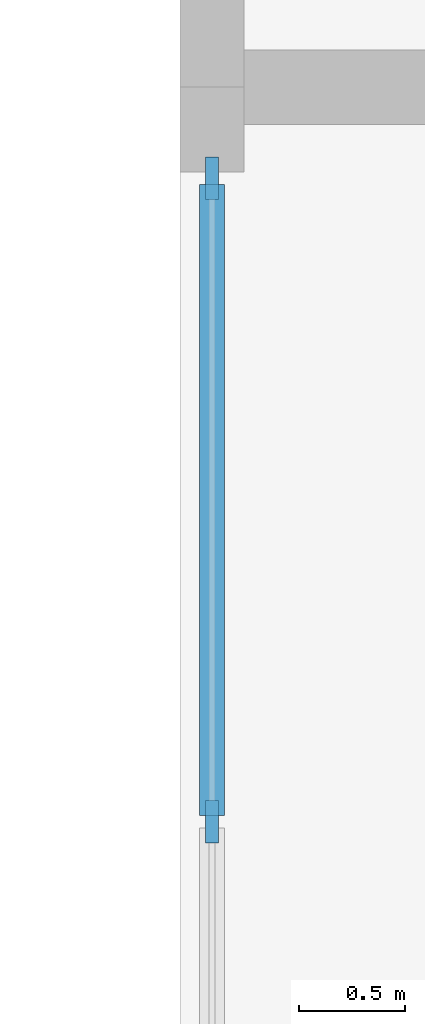
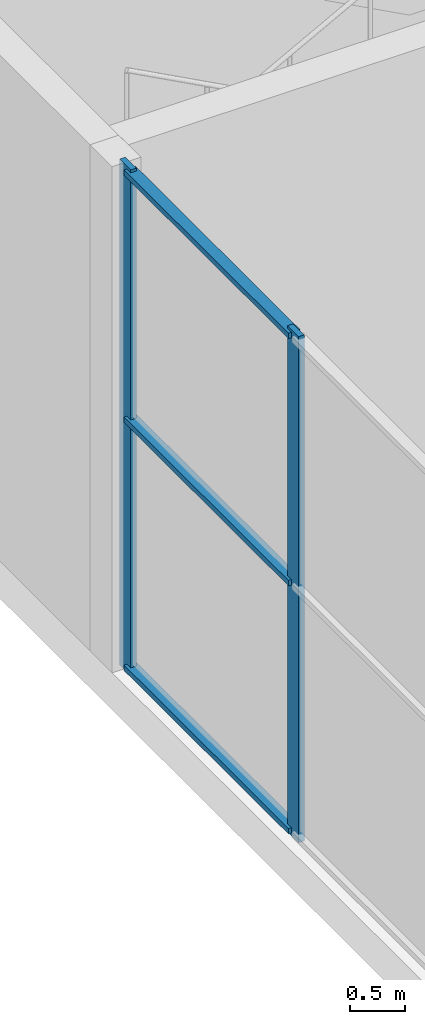
# One storey, part 15 of 51: 5 members, 1 element without a shape of its own.
"""IFC4 building model written with IfcOpenShell, lengths in metres."""

import ifcopenshell
import ifcopenshell.guid

model = None  # the IFC model being written
_history = None  # IfcOwnerHistory: only IFC2X3 demands one
_inside = {}  # id of a spatial element -> (the spatial element, [elements in it])
_under = {}  # id of a project, library or spatial element -> (it, [spatial elements below it])
_declared = {}  # id of a project -> (the project, [libraries it declares])
_typed = {}  # id of a type object -> (the type object, [elements of that type])
_made_of = {}  # id of a material, layer set ... -> (it, [elements and type objects made of it])


def new_model(schema):
    """Start an empty IFC model of exactly this schema.

    Asked for "IFC4X3", IfcOpenShell would pick the latest addendum, in which some entities
    have other attributes; the version numbers below select the first issue.
    IFC2X3 requires an IfcOwnerHistory on every rooted entity: one is made here for all.
    """
    global model, _history
    if schema == "IFC4X3":
        model = ifcopenshell.file(schema_version=(4, 3, 0, 0))
    else:
        model = ifcopenshell.file(schema=schema)
    _inside.clear()
    _under.clear()
    _declared.clear()
    _typed.clear()
    _made_of.clear()
    _history = None
    if model.schema == "IFC2X3":
        org = make("IfcOrganization", Name="unknown")
        user = make(
            "IfcPersonAndOrganization",
            ThePerson=make("IfcPerson", FamilyName="unknown"),
            TheOrganization=org,
        )
        app = make(
            "IfcApplication",
            ApplicationDeveloper=org,
            Version="unknown",
            ApplicationFullName="unknown",
            ApplicationIdentifier="unknown",
        )
        _history = make(
            "IfcOwnerHistory",
            OwningUser=user,
            OwningApplication=app,
            ChangeAction="ADDED",
            CreationDate=0,
        )
    return model


def make(cls, **values):
    """One entity of the class cls with the attributes given. An attribute that is None is left unset."""
    return model.create_entity(
        cls, **{name: value for name, value in values.items() if value is not None}
    )


def rooted(cls, **values):
    """An entity with a GlobalId (a new one), such as an element, a storey or a relation."""
    return make(cls, GlobalId=ifcopenshell.guid.new(), OwnerHistory=_history, **values)


def si_unit(unit_type, name, prefix=None):
    """IfcSIUnit, for example si_unit("LENGTHUNIT", "METRE", prefix="MILLI")."""
    return make("IfcSIUnit", UnitType=unit_type, Prefix=prefix, Name=name)


def assignment(units):
    """IfcUnitAssignment: the units of a project."""
    return None if units is None else make("IfcUnitAssignment", Units=units)


def point(xyz):
    """IfcCartesianPoint."""
    return None if xyz is None else make("IfcCartesianPoint", Coordinates=xyz)


def direction(xyz):
    """IfcDirection."""
    return None if xyz is None else make("IfcDirection", DirectionRatios=xyz)


def frame(location, z_axis=None, x_axis=None):
    """IfcAxis2Placement3D, a coordinate frame: its origin and axes. An axis left out is left unset."""
    return make(
        "IfcAxis2Placement3D",
        Location=point(location),
        Axis=direction(z_axis),
        RefDirection=direction(x_axis),
    )


def frame_2d(location, x_axis=None):
    """IfcAxis2Placement2D, a coordinate frame in the plane: its origin and x axis."""
    return make(
        "IfcAxis2Placement2D", Location=point(location), RefDirection=direction(x_axis)
    )


def origin():
    """The frame at (0, 0, 0) with its axes left unset."""
    return frame((0.0, 0.0, 0.0))


def origin_2d():
    """The frame at (0, 0) in the plane with its x axis left unset."""
    return frame_2d((0.0, 0.0))


def place(relative_to, where):
    """IfcLocalPlacement: puts the frame where relative to a parent placement (None: the world)."""
    return make(
        "IfcLocalPlacement", PlacementRelTo=relative_to, RelativePlacement=where
    )


def context(
    kind, dimensions, precision=None, world=None, true_north=None, identifier=None
):
    """IfcGeometricRepresentationContext, for example the 3D "Model" context."""
    return make(
        "IfcGeometricRepresentationContext",
        ContextIdentifier=identifier,
        ContextType=kind,
        CoordinateSpaceDimension=dimensions,
        Precision=precision,
        WorldCoordinateSystem=world,
        TrueNorth=true_north,
    )


def subcontext(parent, identifier, kind, view, scale=None):
    """IfcGeometricRepresentationSubContext, for example "Body" below "Model"."""
    return make(
        "IfcGeometricRepresentationSubContext",
        ContextIdentifier=identifier,
        ContextType=kind,
        ParentContext=parent,
        TargetScale=scale,
        TargetView=view,
    )


def project(units=None, contexts=None):
    """IfcProject with its units and contexts."""
    return rooted(
        "IfcProject",
        Name="project",
        RepresentationContexts=contexts,
        UnitsInContext=assignment(units),
    )


def spatial(cls, under=None, at=None, **own):
    """A site, building, storey or space (cls), placed at a placement, below another one or the project."""
    s = rooted(cls, ObjectPlacement=at, **own)
    if under is not None:
        _under.setdefault(under.id(), (under, []))[1].append(s)
    return s


def profile(cls, at=None, kind="AREA", **sizes):
    """A parametric profile (cls). Its sizes go by their IFC names, for example OverallWidth=200.0."""
    return make(cls, ProfileType=kind, Position=at, **sizes)


def rectangle(**sizes):
    """IfcRectangleProfileDef."""
    return profile("IfcRectangleProfileDef", **sizes)


def extrude(swept, where, along, depth):
    """IfcExtrudedAreaSolid: the profile swept, set in the frame where, extruded along a direction by depth."""
    return make(
        "IfcExtrudedAreaSolid",
        SweptArea=swept,
        Position=where,
        ExtrudedDirection=direction(along),
        Depth=depth,
    )


def shape(context_of_items, identifier, shape_type, items):
    """IfcShapeRepresentation: the items that make up one representation, for example the "Body"."""
    return make(
        "IfcShapeRepresentation",
        ContextOfItems=context_of_items,
        RepresentationIdentifier=identifier,
        RepresentationType=shape_type,
        Items=items,
    )


def material(Name=None, Category=None):
    """IfcMaterial."""
    return make("IfcMaterial", Name=Name, Category=Category)


def material_profile(
    of_material, cross_section, Name=None, Category=None, Priority=None
):
    """IfcMaterialProfile: a cross section and its material."""
    return make(
        "IfcMaterialProfile",
        Name=Name,
        Material=of_material,
        Profile=cross_section,
        Priority=Priority,
        Category=Category,
    )


def profile_set(profiles, Name=None, composite=None):
    """IfcMaterialProfileSet."""
    return make(
        "IfcMaterialProfileSet",
        Name=Name,
        MaterialProfiles=profiles,
        CompositeProfile=composite,
    )


def made_of(thing, what):
    """Note that an element or type object is made of a material, layer set ...; save() writes the relation."""
    if what is not None:
        _made_of.setdefault(what.id(), (what, []))[1].append(thing)
    return thing


def type_object(cls, material=None, **own):
    """A type object (cls), such as IfcWallType, which elements share."""
    return made_of(rooted(cls, **own), material)


def element(
    cls,
    number,
    at=None,
    inside=None,
    cuts=None,
    type_object=None,
    material=None,
    context=None,
    identifier="Body",
    shape_type=None,
    held_by="IfcProductDefinitionShape",
    body=None,
    shapes=None,
    **own,
):
    """One element of the class cls, such as IfcWall. Its Tag is "e" and its number.

    at: its placement. inside: the storey or other place that contains it. cuts: it is an
    opening in that element (IfcRelVoidsElement). A single representation is given by context,
    identifier, shape_type and body (its items); several are given by shapes. held_by: the class
    of the entity that holds the representations. save() writes the other relations.
    """
    e = rooted(cls, Tag="e%d" % number, ObjectPlacement=at, **own)
    if body is not None:
        shapes = [shape(context, identifier, shape_type, body)]
    if shapes is not None:
        e.Representation = make(held_by, Representations=shapes)
    if inside is not None:
        _inside.setdefault(inside.id(), (inside, []))[1].append(e)
    if cuts is not None:
        rooted(
            "IfcRelVoidsElement", RelatingBuildingElement=cuts, RelatedOpeningElement=e
        )
    if type_object is not None:
        _typed.setdefault(type_object.id(), (type_object, []))[1].append(e)
    return made_of(e, material)


def aggregate(whole, parts):
    """IfcRelAggregates: a whole, such as a stair, and the parts it consists of."""
    return rooted("IfcRelAggregates", RelatingObject=whole, RelatedObjects=parts)


def save(model, path):
    """Write the relations noted so far, then the file.

    IfcRelAggregates (storeys below a building ...), IfcRelContainedInSpatialStructure (elements
    in a storey), IfcRelDefinesByType, IfcRelAssociatesMaterial and IfcRelDeclares: one each for
    every whole, place, type object, material and project.
    """
    for whole, parts in _under.values():
        aggregate(whole, parts)
    for where, things in _inside.values():
        rooted(
            "IfcRelContainedInSpatialStructure",
            RelatedElements=things,
            RelatingStructure=where,
        )
    for kind, things in _typed.values():
        rooted("IfcRelDefinesByType", RelatedObjects=things, RelatingType=kind)
    for what, things in _made_of.values():
        rooted("IfcRelAssociatesMaterial", RelatedObjects=things, RelatingMaterial=what)
    for by, libraries in _declared.values():
        rooted("IfcRelDeclares", RelatingContext=by, RelatedDefinitions=libraries)
    model.write(path)


model = new_model("IFC4")

# Units and contexts
model_context = context("Model", 3, precision=1e-05, world=origin(), true_north=direction((0.0, 1.0)))
body_context = subcontext(model_context, "Body", "Model", "MODEL_VIEW")
ifc_project = project(units=[si_unit("LENGTHUNIT", "METRE"), si_unit("AREAUNIT", "SQUARE_METRE"), si_unit("VOLUMEUNIT", "CUBIC_METRE"), si_unit("PLANEANGLEUNIT", "RADIAN"), si_unit("MASSUNIT", "GRAM", prefix="KILO")], contexts=[model_context])

# Site, building, storey
site_placement = place(None, origin())
site = spatial("IfcSite", under=ifc_project, at=site_placement, CompositionType="ELEMENT")
building_placement = place(site_placement, origin())
building = spatial("IfcBuilding", under=site, at=building_placement, Name="Jabali Bay Hotel Tower and Convention Centre", CompositionType="ELEMENT")
storey_placement = place(building_placement, frame((0.0, 0.0, 9.0)))
storey = spatial("IfcBuildingStorey", under=building, at=storey_placement, Name="L01", CompositionType="ELEMENT", Elevation=9.0)

# Curtain wall, members
ifc_material_1 = material(Name="Aluminium 6063-T5 and glass", Category="aluminium")
curtain_wall_type = type_object("IfcCurtainWallType", Name="CC CW4 Unitised Curtain Wall", PredefinedType="NOTDEFINED", material=ifc_material_1)
curtain_wall_placement = place(storey_placement, origin())
curtain_wall = element("IfcCurtainWall", 1, at=curtain_wall_placement, inside=storey, type_object=curtain_wall_type, Name="CC CW4 run 4", PredefinedType="NOTDEFINED")
ifc_material_2 = material(Name="Aluminium 6063-T5", Category="aluminium")
ifc_material_profile_1 = material_profile(ifc_material_2, rectangle(XDim=0.06005859375, YDim=0.199951171875, at=origin_2d()), Name="AL 60x200")
ifc_profile_set_1 = profile_set([ifc_material_profile_1], Name="Aluminium 6063-T5")
member_type_1 = type_object("IfcMemberType", Name="CC Curtain Wall Mullion 60x200", PredefinedType="MULLION", material=ifc_profile_set_1)
member_1_placement = place(storey_placement, frame((150.14990234375, 96.533447265625, 0.0), z_axis=(0.0, 0.0, 1.0), x_axis=(-1.0, 0.0, 0.0)))
member_1 = element("IfcMember", 2, at=member_1_placement, type_object=member_type_1, Name="CC-CW4 mullion 3", PredefinedType="MULLION", context=body_context, shape_type="SweptSolid", body=[
    extrude(rectangle(XDim=0.06005859375, YDim=0.199951171875, at=origin_2d()), origin(), (0.0, 0.0, 1.0), 5.590087890625),
])
member_2_placement = place(storey_placement, frame((150.14990234375, 99.570068359375, 0.0), z_axis=(0.0, 0.0, 1.0), x_axis=(-1.0, 0.0, 0.0)))
member_2 = element("IfcMember", 3, at=member_2_placement, type_object=member_type_1, Name="CC-CW4 mullion 4", PredefinedType="MULLION", context=body_context, shape_type="SweptSolid", body=[
    extrude(rectangle(XDim=0.06005859375, YDim=0.199951171875, at=origin_2d()), origin(), (0.0, 0.0, 1.0), 5.590087890625),
])
ifc_material_profile_2 = material_profile(ifc_material_2, rectangle(XDim=0.1201171875, YDim=0.06005859375, at=origin_2d()), Name="AL 120x60")
ifc_profile_set_2 = profile_set([ifc_material_profile_2], Name="Aluminium 6063-T5")
member_type_2 = type_object("IfcMemberType", Name="CC Curtain Wall Transom 60x120", PredefinedType="USERDEFINED", material=ifc_profile_set_2)
member_3_placement = place(storey_placement, frame((150.14990234375, 96.563232421875, 0.06005859375), z_axis=(0.0, 1.0, 0.0), x_axis=(-1.0, 0.0, 0.0)))
member_3 = element("IfcMember", 4, at=member_3_placement, type_object=member_type_2, Name="CC-CW4 transom 3.1", ObjectType="TRANSOM", PredefinedType="USERDEFINED", context=body_context, shape_type="SweptSolid", body=[
    extrude(rectangle(XDim=0.1201171875, YDim=0.06005859375, at=origin_2d()), origin(), (0.0, 0.0, 1.0), 2.976806640625),
])
member_4_placement = place(storey_placement, frame((150.14990234375, 96.563232421875, 2.800048828125), z_axis=(0.0, 1.0, 0.0), x_axis=(-1.0, 0.0, 0.0)))
member_4 = element("IfcMember", 5, at=member_4_placement, type_object=member_type_2, Name="CC-CW4 transom 3.2", ObjectType="TRANSOM", PredefinedType="USERDEFINED", context=body_context, shape_type="SweptSolid", body=[
    extrude(rectangle(XDim=0.1201171875, YDim=0.06005859375, at=origin_2d()), origin(), (0.0, 0.0, 1.0), 2.976806640625),
])
member_5_placement = place(storey_placement, frame((150.14990234375, 96.563232421875, 5.530029296875), z_axis=(0.0, 1.0, 0.0), x_axis=(-1.0, 0.0, 0.0)))
member_5 = element("IfcMember", 6, at=member_5_placement, type_object=member_type_2, Name="CC-CW4 transom 3.3", ObjectType="TRANSOM", PredefinedType="USERDEFINED", context=body_context, shape_type="SweptSolid", body=[
    extrude(rectangle(XDim=0.1201171875, YDim=0.06005859375, at=origin_2d()), origin(), (0.0, 0.0, 1.0), 2.976806640625),
])
aggregate(curtain_wall, [member_1, member_2, member_3, member_4, member_5])

save(model, "model.ifc")
